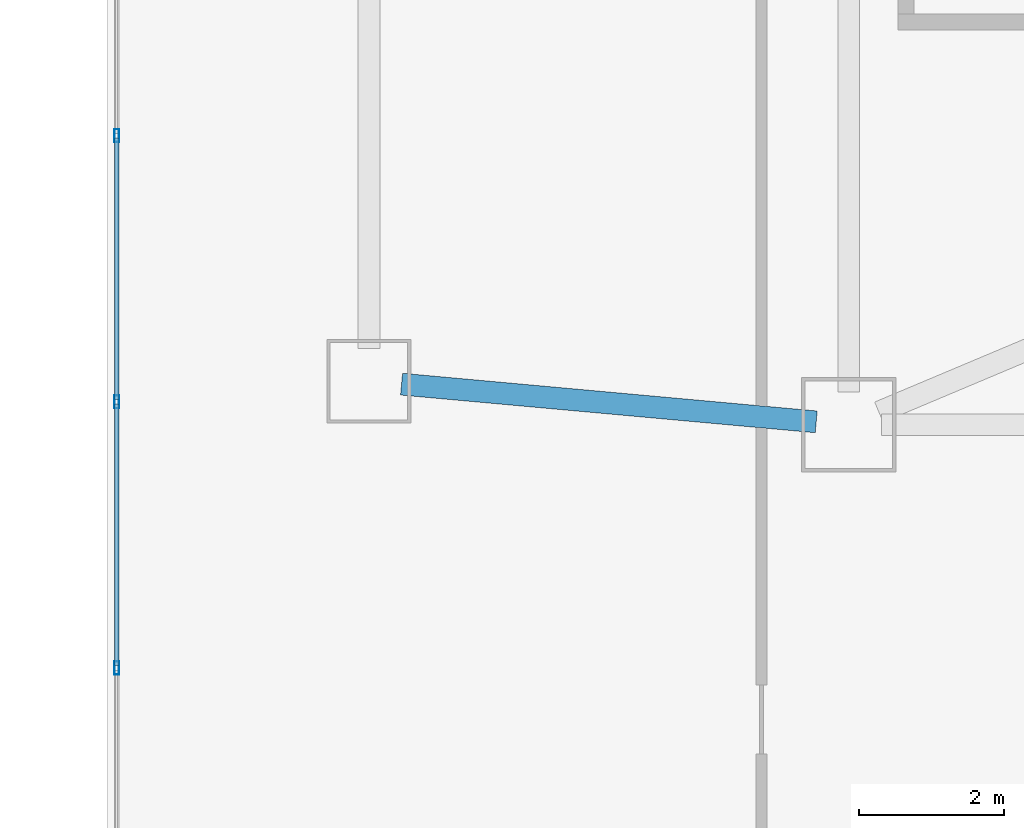
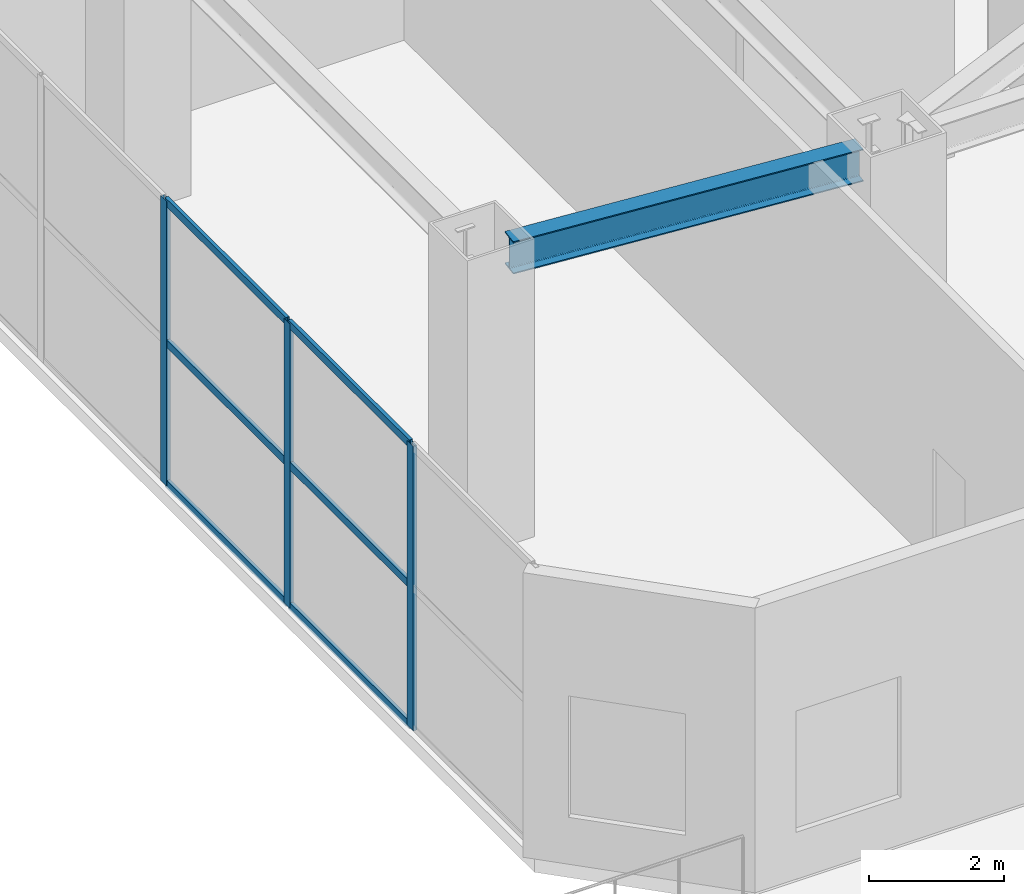
# One storey, part 6 of 37: 9 members, 1 beam, 1 element without a shape of its own.
"""IFC4 building model written with IfcOpenShell, lengths in metres."""

from ifc_helpers import new_model, si_unit, direction, frame, origin, origin_2d, place, context, subcontext, project, spatial, hollow_rectangle, i_section, extrude, material, layer, layer_set, material_profile, profile_set, type_object, element, aggregate, save


model = new_model("IFC4")

# Units and contexts
model_context = context("Model", 3, precision=1e-05, world=origin(), true_north=direction((0.0, 1.0)))
body_context = subcontext(model_context, "Body", "Model", "MODEL_VIEW")
ifc_project = project(units=[si_unit("LENGTHUNIT", "METRE"), si_unit("AREAUNIT", "SQUARE_METRE"), si_unit("VOLUMEUNIT", "CUBIC_METRE"), si_unit("PLANEANGLEUNIT", "RADIAN"), si_unit("MASSUNIT", "GRAM", prefix="KILO")], contexts=[model_context])

# Site, building, storey
site_placement = place(None, origin())
site = spatial("IfcSite", under=ifc_project, at=site_placement, CompositionType="ELEMENT")
building_placement = place(site_placement, origin())
building = spatial("IfcBuilding", under=site, at=building_placement, Name="Haolan Belvedere Tower", CompositionType="ELEMENT")
storey_placement = place(building_placement, frame((0.0, 0.0, 10.199951171875)))
storey = spatial("IfcBuildingStorey", under=building, at=storey_placement, Name="L02", CompositionType="ELEMENT", Elevation=10.199951171875)

# Beam
ifc_material_1 = material(Name="Steel Q355B", Category="steel")
ifc_material_profile_1 = material_profile(ifc_material_1, i_section(OverallWidth=0.300048828125, OverallDepth=0.587890625, WebThickness=0.011962890625, FlangeThickness=0.02001953125, FilletRadius=0.028076171875, at=origin_2d()), Name="Steel Q355B")
ifc_profile_set_1 = profile_set([ifc_material_profile_1], Name="Steel Q355B")
beam_type = type_object("IfcBeamType", Name="BM-HM588x300x12x20", PredefinedType="SPANDREL", material=ifc_profile_set_1)
beam_placement = place(storey_placement, frame((6.4482421875, 17.359375, 4.865966796875), z_axis=(0.995892507606, -0.090543433189, 0.0), x_axis=(0.090543433189, 0.995892507606, 0.0)))
element("IfcBeam", 1, at=beam_placement, inside=storey, type_object=beam_type, Name="L02 spandrel girder MC-T1-SW-MC-T2-SW", PredefinedType="SPANDREL", context=body_context, shape_type="SweptSolid", body=[
    extrude(i_section(OverallWidth=0.300048828125, OverallDepth=0.587890625, WebThickness=0.011962890625, FlangeThickness=0.02001953125, FilletRadius=0.028076171875, at=origin_2d()), origin(), (0.0, 0.0, 1.0), 5.72705078125),
])

# Curtain wall, members
ifc_material_2 = material(Name="Anodised champagne-silver aluminium 6063-T6 and Low-E glass", Category="aluminium")
ifc_layer = layer(ifc_material_2, 0.179931640625, Name="Anodised champagne-silver aluminium 6063-T6 and Low-E glass")
ifc_layer_set = layer_set([ifc_layer], Name="Anodised champagne-silver aluminium 6063-T6 and Low-E glass")
curtain_wall_type = type_object("IfcCurtainWallType", Name="CW-SYS-01", PredefinedType="NOTDEFINED", material=ifc_layer_set)
curtain_wall_placement = place(storey_placement, origin())
curtain_wall = element("IfcCurtainWall", 2, at=curtain_wall_placement, inside=storey, type_object=curtain_wall_type, Name="L02 CW-SYS-01 ribbon curtain wall 4.1", PredefinedType="NOTDEFINED")
ifc_material_3 = material(Name="Anodised aluminium 6063-T6", Category="aluminium")
ifc_material_profile_2 = material_profile(ifc_material_3, hollow_rectangle(XDim=0.06494140625, YDim=0.179931640625, WallThickness=0.00390625, at=origin_2d()), Name="Anodised aluminium 6063-T6")
ifc_profile_set_2 = profile_set([ifc_material_profile_2], Name="Anodised aluminium 6063-T6")
member_type_1 = type_object("IfcMemberType", Name="CW-SYS-01-MUL", PredefinedType="MULLION", material=ifc_profile_set_2)
member_1_placement = place(storey_placement, frame((2.530029296875, 20.77783203125, 0.0), z_axis=(0.0, 0.0, 1.0), x_axis=(1.0, 0.0, 0.0)))
member_1 = element("IfcMember", 3, at=member_1_placement, type_object=member_type_1, Name="CW-01 mullion 10", PredefinedType="MULLION", context=body_context, shape_type="SweptSolid", body=[
    extrude(hollow_rectangle(XDim=0.06494140625, YDim=0.179931640625, WallThickness=0.00390625, at=origin_2d()), origin(), (0.0, 0.0, 1.0), 5.16015625),
])
member_2_placement = place(storey_placement, frame((2.530029296875, 17.116455078125, 0.0), z_axis=(0.0, 0.0, 1.0), x_axis=(1.0, 0.0, 0.0)))
member_2 = element("IfcMember", 4, at=member_2_placement, type_object=member_type_1, Name="CW-01 mullion 11", PredefinedType="MULLION", context=body_context, shape_type="SweptSolid", body=[
    extrude(hollow_rectangle(XDim=0.06494140625, YDim=0.179931640625, WallThickness=0.00390625, at=origin_2d()), origin(), (0.0, 0.0, 1.0), 5.16015625),
])
member_3_placement = place(storey_placement, frame((2.530029296875, 13.455078125, 0.0), z_axis=(0.0, 0.0, 1.0), x_axis=(1.0, 0.0, 0.0)))
member_3 = element("IfcMember", 5, at=member_3_placement, type_object=member_type_1, Name="CW-01 mullion 12", PredefinedType="MULLION", context=body_context, shape_type="SweptSolid", body=[
    extrude(hollow_rectangle(XDim=0.06494140625, YDim=0.179931640625, WallThickness=0.00390625, at=origin_2d()), origin(), (0.0, 0.0, 1.0), 5.16015625),
])
ifc_material_profile_3 = material_profile(ifc_material_3, hollow_rectangle(XDim=0.06005859375, YDim=0.139892578125, WallThickness=0.00390625, at=origin_2d()), Name="Anodised aluminium 6063-T6")
ifc_profile_set_3 = profile_set([ifc_material_profile_3], Name="Anodised aluminium 6063-T6")
member_type_2 = type_object("IfcMemberType", Name="CW-SYS-01-TRN", PredefinedType="USERDEFINED", material=ifc_profile_set_3)
member_4_placement = place(storey_placement, frame((2.530029296875, 20.745361328125, 0.030029296875), z_axis=(0.0, -1.0, 0.0), x_axis=(1.0, 0.0, 0.0)))
member_4 = element("IfcMember", 6, at=member_4_placement, type_object=member_type_2, Name="CW-01 transom 10.1", ObjectType="TRANSOM", PredefinedType="USERDEFINED", context=body_context, shape_type="SweptSolid", body=[
    extrude(hollow_rectangle(XDim=0.06005859375, YDim=0.139892578125, WallThickness=0.00390625, at=origin_2d()), origin(), (0.0, 0.0, 1.0), 3.596435546875),
])
member_5_placement = place(storey_placement, frame((2.530029296875, 20.745361328125, 2.580078125), z_axis=(0.0, -1.0, 0.0), x_axis=(1.0, 0.0, 0.0)))
member_5 = element("IfcMember", 7, at=member_5_placement, type_object=member_type_2, Name="CW-01 transom 10.2", ObjectType="TRANSOM", PredefinedType="USERDEFINED", context=body_context, shape_type="SweptSolid", body=[
    extrude(hollow_rectangle(XDim=0.06005859375, YDim=0.139892578125, WallThickness=0.00390625, at=origin_2d()), origin(), (0.0, 0.0, 1.0), 3.596435546875),
])
member_6_placement = place(storey_placement, frame((2.530029296875, 20.745361328125, 5.130126953125), z_axis=(0.0, -1.0, 0.0), x_axis=(1.0, 0.0, 0.0)))
member_6 = element("IfcMember", 8, at=member_6_placement, type_object=member_type_2, Name="CW-01 transom 10.3", ObjectType="TRANSOM", PredefinedType="USERDEFINED", context=body_context, shape_type="SweptSolid", body=[
    extrude(hollow_rectangle(XDim=0.06005859375, YDim=0.139892578125, WallThickness=0.00390625, at=origin_2d()), origin(), (0.0, 0.0, 1.0), 3.596435546875),
])
member_7_placement = place(storey_placement, frame((2.530029296875, 17.083984375, 0.030029296875), z_axis=(0.0, -1.0, 0.0), x_axis=(1.0, 0.0, 0.0)))
member_7 = element("IfcMember", 9, at=member_7_placement, type_object=member_type_2, Name="CW-01 transom 11.1", ObjectType="TRANSOM", PredefinedType="USERDEFINED", context=body_context, shape_type="SweptSolid", body=[
    extrude(hollow_rectangle(XDim=0.06005859375, YDim=0.139892578125, WallThickness=0.00390625, at=origin_2d()), origin(), (0.0, 0.0, 1.0), 3.596435546875),
])
member_8_placement = place(storey_placement, frame((2.530029296875, 17.083984375, 2.580078125), z_axis=(0.0, -1.0, 0.0), x_axis=(1.0, 0.0, 0.0)))
member_8 = element("IfcMember", 10, at=member_8_placement, type_object=member_type_2, Name="CW-01 transom 11.2", ObjectType="TRANSOM", PredefinedType="USERDEFINED", context=body_context, shape_type="SweptSolid", body=[
    extrude(hollow_rectangle(XDim=0.06005859375, YDim=0.139892578125, WallThickness=0.00390625, at=origin_2d()), origin(), (0.0, 0.0, 1.0), 3.596435546875),
])
member_9_placement = place(storey_placement, frame((2.530029296875, 17.083984375, 5.130126953125), z_axis=(0.0, -1.0, 0.0), x_axis=(1.0, 0.0, 0.0)))
member_9 = element("IfcMember", 11, at=member_9_placement, type_object=member_type_2, Name="CW-01 transom 11.3", ObjectType="TRANSOM", PredefinedType="USERDEFINED", context=body_context, shape_type="SweptSolid", body=[
    extrude(hollow_rectangle(XDim=0.06005859375, YDim=0.139892578125, WallThickness=0.00390625, at=origin_2d()), origin(), (0.0, 0.0, 1.0), 3.596435546875),
])
aggregate(curtain_wall, [member_1, member_2, member_3, member_4, member_5, member_6, member_7, member_8, member_9])

save(model, "model.ifc")
